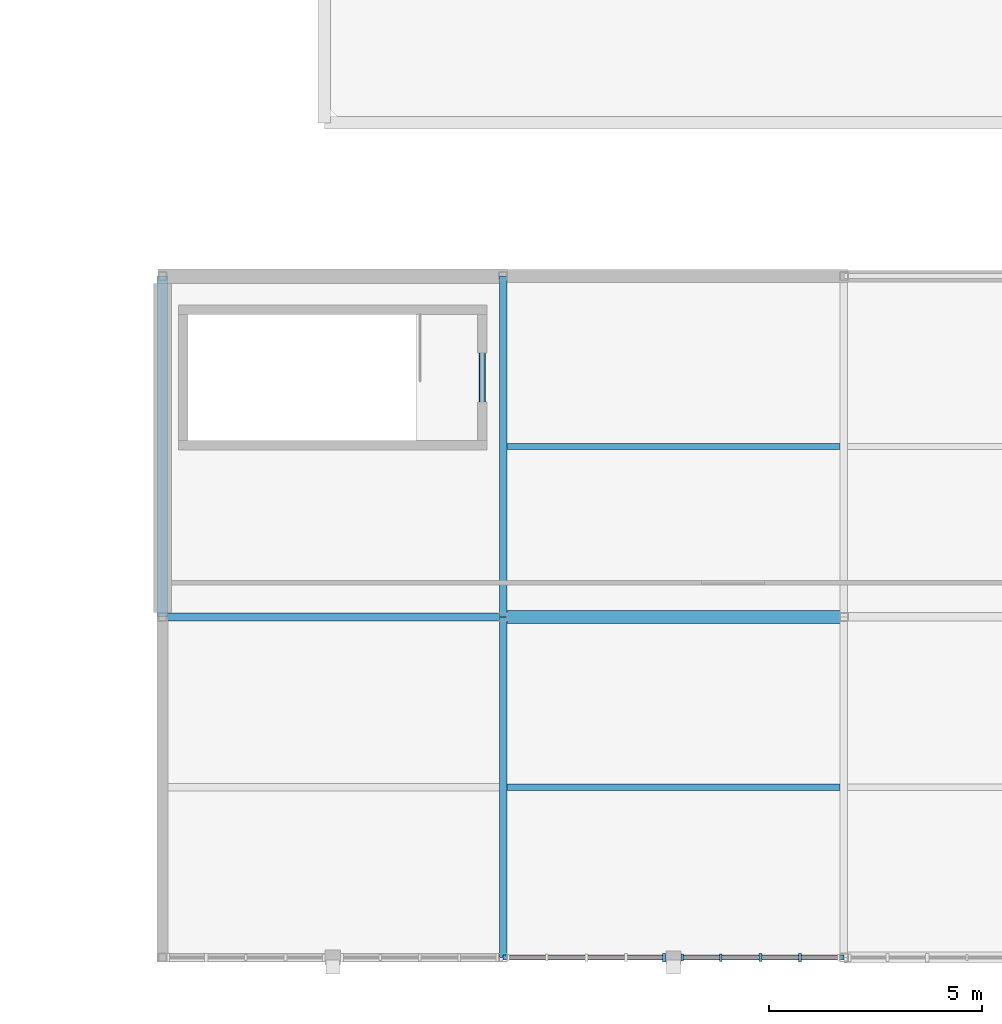
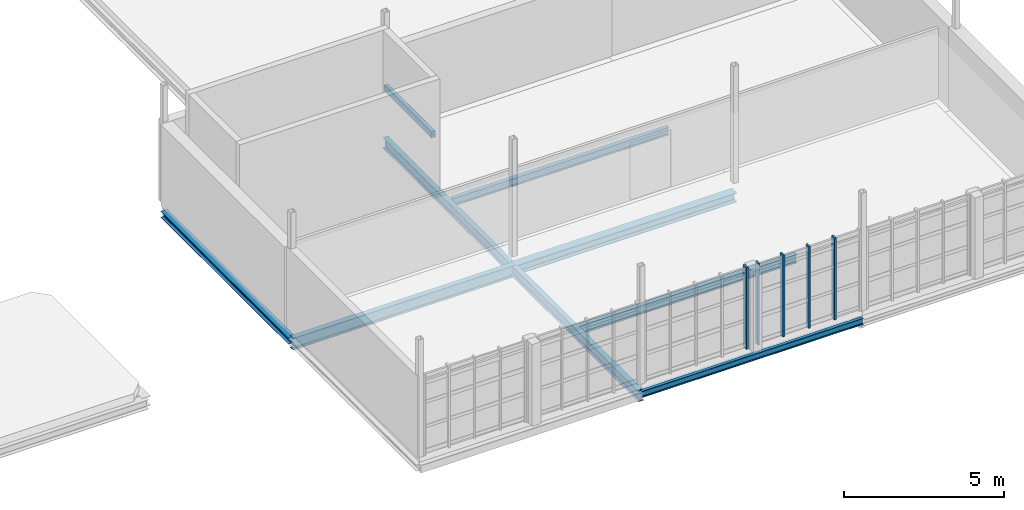
# One storey, part 36 of 125: 9 beams, 5 members, 2 elements without a shape of their own.
"""IFC4 building model written with IfcOpenShell, lengths in metres."""

import ifcopenshell
import ifcopenshell.guid

model = None  # the IFC model being written
_history = None  # IfcOwnerHistory: only IFC2X3 demands one
_inside = {}  # id of a spatial element -> (the spatial element, [elements in it])
_under = {}  # id of a project, library or spatial element -> (it, [spatial elements below it])
_declared = {}  # id of a project -> (the project, [libraries it declares])
_typed = {}  # id of a type object -> (the type object, [elements of that type])
_made_of = {}  # id of a material, layer set ... -> (it, [elements and type objects made of it])


def new_model(schema):
    """Start an empty IFC model of exactly this schema.

    Asked for "IFC4X3", IfcOpenShell would pick the latest addendum, in which some entities
    have other attributes; the version numbers below select the first issue.
    IFC2X3 requires an IfcOwnerHistory on every rooted entity: one is made here for all.
    """
    global model, _history
    if schema == "IFC4X3":
        model = ifcopenshell.file(schema_version=(4, 3, 0, 0))
    else:
        model = ifcopenshell.file(schema=schema)
    _inside.clear()
    _under.clear()
    _declared.clear()
    _typed.clear()
    _made_of.clear()
    _history = None
    if model.schema == "IFC2X3":
        org = make("IfcOrganization", Name="unknown")
        user = make(
            "IfcPersonAndOrganization",
            ThePerson=make("IfcPerson", FamilyName="unknown"),
            TheOrganization=org,
        )
        app = make(
            "IfcApplication",
            ApplicationDeveloper=org,
            Version="unknown",
            ApplicationFullName="unknown",
            ApplicationIdentifier="unknown",
        )
        _history = make(
            "IfcOwnerHistory",
            OwningUser=user,
            OwningApplication=app,
            ChangeAction="ADDED",
            CreationDate=0,
        )
    return model


def make(cls, **values):
    """One entity of the class cls with the attributes given. An attribute that is None is left unset."""
    return model.create_entity(
        cls, **{name: value for name, value in values.items() if value is not None}
    )


def rooted(cls, **values):
    """An entity with a GlobalId (a new one), such as an element, a storey or a relation."""
    return make(cls, GlobalId=ifcopenshell.guid.new(), OwnerHistory=_history, **values)


def si_unit(unit_type, name, prefix=None):
    """IfcSIUnit, for example si_unit("LENGTHUNIT", "METRE", prefix="MILLI")."""
    return make("IfcSIUnit", UnitType=unit_type, Prefix=prefix, Name=name)


def assignment(units):
    """IfcUnitAssignment: the units of a project."""
    return None if units is None else make("IfcUnitAssignment", Units=units)


def point(xyz):
    """IfcCartesianPoint."""
    return None if xyz is None else make("IfcCartesianPoint", Coordinates=xyz)


def direction(xyz):
    """IfcDirection."""
    return None if xyz is None else make("IfcDirection", DirectionRatios=xyz)


def frame(location, z_axis=None, x_axis=None):
    """IfcAxis2Placement3D, a coordinate frame: its origin and axes. An axis left out is left unset."""
    return make(
        "IfcAxis2Placement3D",
        Location=point(location),
        Axis=direction(z_axis),
        RefDirection=direction(x_axis),
    )


def frame_2d(location, x_axis=None):
    """IfcAxis2Placement2D, a coordinate frame in the plane: its origin and x axis."""
    return make(
        "IfcAxis2Placement2D", Location=point(location), RefDirection=direction(x_axis)
    )


def origin():
    """The frame at (0, 0, 0) with its axes left unset."""
    return frame((0.0, 0.0, 0.0))


def origin_2d():
    """The frame at (0, 0) in the plane with its x axis left unset."""
    return frame_2d((0.0, 0.0))


def place(relative_to, where):
    """IfcLocalPlacement: puts the frame where relative to a parent placement (None: the world)."""
    return make(
        "IfcLocalPlacement", PlacementRelTo=relative_to, RelativePlacement=where
    )


def context(
    kind, dimensions, precision=None, world=None, true_north=None, identifier=None
):
    """IfcGeometricRepresentationContext, for example the 3D "Model" context."""
    return make(
        "IfcGeometricRepresentationContext",
        ContextIdentifier=identifier,
        ContextType=kind,
        CoordinateSpaceDimension=dimensions,
        Precision=precision,
        WorldCoordinateSystem=world,
        TrueNorth=true_north,
    )


def subcontext(parent, identifier, kind, view, scale=None):
    """IfcGeometricRepresentationSubContext, for example "Body" below "Model"."""
    return make(
        "IfcGeometricRepresentationSubContext",
        ContextIdentifier=identifier,
        ContextType=kind,
        ParentContext=parent,
        TargetScale=scale,
        TargetView=view,
    )


def project(units=None, contexts=None):
    """IfcProject with its units and contexts."""
    return rooted(
        "IfcProject",
        Name="project",
        RepresentationContexts=contexts,
        UnitsInContext=assignment(units),
    )


def spatial(cls, under=None, at=None, **own):
    """A site, building, storey or space (cls), placed at a placement, below another one or the project."""
    s = rooted(cls, ObjectPlacement=at, **own)
    if under is not None:
        _under.setdefault(under.id(), (under, []))[1].append(s)
    return s


def profile(cls, at=None, kind="AREA", **sizes):
    """A parametric profile (cls). Its sizes go by their IFC names, for example OverallWidth=200.0."""
    return make(cls, ProfileType=kind, Position=at, **sizes)


def rectangle(**sizes):
    """IfcRectangleProfileDef."""
    return profile("IfcRectangleProfileDef", **sizes)


def hollow_rectangle(**sizes):
    """IfcRectangleHollowProfileDef."""
    return profile("IfcRectangleHollowProfileDef", **sizes)


def i_section(**sizes):
    """IfcIShapeProfileDef."""
    return profile("IfcIShapeProfileDef", **sizes)


def extrude(swept, where, along, depth):
    """IfcExtrudedAreaSolid: the profile swept, set in the frame where, extruded along a direction by depth."""
    return make(
        "IfcExtrudedAreaSolid",
        SweptArea=swept,
        Position=where,
        ExtrudedDirection=direction(along),
        Depth=depth,
    )


def shape(context_of_items, identifier, shape_type, items):
    """IfcShapeRepresentation: the items that make up one representation, for example the "Body"."""
    return make(
        "IfcShapeRepresentation",
        ContextOfItems=context_of_items,
        RepresentationIdentifier=identifier,
        RepresentationType=shape_type,
        Items=items,
    )


def material(Name=None, Category=None):
    """IfcMaterial."""
    return make("IfcMaterial", Name=Name, Category=Category)


def material_profile(
    of_material, cross_section, Name=None, Category=None, Priority=None
):
    """IfcMaterialProfile: a cross section and its material."""
    return make(
        "IfcMaterialProfile",
        Name=Name,
        Material=of_material,
        Profile=cross_section,
        Priority=Priority,
        Category=Category,
    )


def profile_set(profiles, Name=None, composite=None):
    """IfcMaterialProfileSet."""
    return make(
        "IfcMaterialProfileSet",
        Name=Name,
        MaterialProfiles=profiles,
        CompositeProfile=composite,
    )


def made_of(thing, what):
    """Note that an element or type object is made of a material, layer set ...; save() writes the relation."""
    if what is not None:
        _made_of.setdefault(what.id(), (what, []))[1].append(thing)
    return thing


def type_object(cls, material=None, **own):
    """A type object (cls), such as IfcWallType, which elements share."""
    return made_of(rooted(cls, **own), material)


def element(
    cls,
    number,
    at=None,
    inside=None,
    cuts=None,
    type_object=None,
    material=None,
    context=None,
    identifier="Body",
    shape_type=None,
    held_by="IfcProductDefinitionShape",
    body=None,
    shapes=None,
    **own,
):
    """One element of the class cls, such as IfcWall. Its Tag is "e" and its number.

    at: its placement. inside: the storey or other place that contains it. cuts: it is an
    opening in that element (IfcRelVoidsElement). A single representation is given by context,
    identifier, shape_type and body (its items); several are given by shapes. held_by: the class
    of the entity that holds the representations. save() writes the other relations.
    """
    e = rooted(cls, Tag="e%d" % number, ObjectPlacement=at, **own)
    if body is not None:
        shapes = [shape(context, identifier, shape_type, body)]
    if shapes is not None:
        e.Representation = make(held_by, Representations=shapes)
    if inside is not None:
        _inside.setdefault(inside.id(), (inside, []))[1].append(e)
    if cuts is not None:
        rooted(
            "IfcRelVoidsElement", RelatingBuildingElement=cuts, RelatedOpeningElement=e
        )
    if type_object is not None:
        _typed.setdefault(type_object.id(), (type_object, []))[1].append(e)
    return made_of(e, material)


def aggregate(whole, parts):
    """IfcRelAggregates: a whole, such as a stair, and the parts it consists of."""
    return rooted("IfcRelAggregates", RelatingObject=whole, RelatedObjects=parts)


def save(model, path):
    """Write the relations noted so far, then the file.

    IfcRelAggregates (storeys below a building ...), IfcRelContainedInSpatialStructure (elements
    in a storey), IfcRelDefinesByType, IfcRelAssociatesMaterial and IfcRelDeclares: one each for
    every whole, place, type object, material and project.
    """
    for whole, parts in _under.values():
        aggregate(whole, parts)
    for where, things in _inside.values():
        rooted(
            "IfcRelContainedInSpatialStructure",
            RelatedElements=things,
            RelatingStructure=where,
        )
    for kind, things in _typed.values():
        rooted("IfcRelDefinesByType", RelatedObjects=things, RelatingType=kind)
    for what, things in _made_of.values():
        rooted("IfcRelAssociatesMaterial", RelatedObjects=things, RelatingMaterial=what)
    for by, libraries in _declared.values():
        rooted("IfcRelDeclares", RelatingContext=by, RelatedDefinitions=libraries)
    model.write(path)


model = new_model("IFC4")

# Units and contexts
model_context = context("Model", 3, precision=1e-05, world=origin(), true_north=direction((0.0, 1.0)))
body_context = subcontext(model_context, "Body", "Model", "MODEL_VIEW")
ifc_project = project(units=[si_unit("LENGTHUNIT", "METRE"), si_unit("AREAUNIT", "SQUARE_METRE"), si_unit("VOLUMEUNIT", "CUBIC_METRE"), si_unit("PLANEANGLEUNIT", "RADIAN"), si_unit("MASSUNIT", "GRAM", prefix="KILO")], contexts=[model_context])

# Site, building, storey
site_placement = place(None, origin())
site = spatial("IfcSite", under=ifc_project, at=site_placement, CompositionType="ELEMENT")
building_placement = place(site_placement, origin())
building = spatial("IfcBuilding", under=site, at=building_placement, Name="Serraforn Aerial Cableway Station", CompositionType="ELEMENT")
storey_placement = place(building_placement, frame((0.0, 0.0, 4.5)))
storey = spatial("IfcBuildingStorey", under=building, at=storey_placement, Name="L01", CompositionType="ELEMENT", Elevation=4.5)

# Beams
ifc_material_1 = material(Name="Steel S355JR", Category="steel")
ifc_material_profile_1 = material_profile(ifc_material_1, i_section(OverallWidth=0.239990234375, OverallDepth=0.239990234375, WebThickness=0.007568359375, FlangeThickness=0.011962890625, FilletRadius=0.02099609375, at=origin_2d()), Name="HEA 240")
ifc_profile_set_1 = profile_set([ifc_material_profile_1], Name="Steel S355JR")
beam_type_1 = type_object("IfcBeamType", Name="BM-ST-HEA240", PredefinedType="BEAM", material=ifc_profile_set_1)
beam_1_placement = place(storey_placement, frame((144.0, 8.0, -0.43994140625), z_axis=(0.0, 1.0, 0.0), x_axis=(-1.0, 0.0, 0.0)))
element("IfcBeam", 1, at=beam_1_placement, inside=storey, type_object=beam_type_1, Name="Grid Girder Y ES L01 X1-2", PredefinedType="BEAM", context=body_context, shape_type="SweptSolid", body=[
    extrude(i_section(OverallWidth=0.239990234375, OverallDepth=0.239990234375, WebThickness=0.007568359375, FlangeThickness=0.011962890625, FilletRadius=0.02099609375, at=origin_2d()), origin(), (0.0, 0.0, 1.0), 8.0),
])
ifc_material_2 = material(Name="Steel S355J2", Category="steel")
ifc_material_profile_2 = material_profile(ifc_material_2, i_section(OverallWidth=0.300048828125, OverallDepth=0.360107421875, WebThickness=0.012451171875, FlangeThickness=0.0224609375, FilletRadius=0.027099609375, at=origin_2d()), Name="HEB 360")
ifc_profile_set_2 = profile_set([ifc_material_profile_2], Name="Steel S355J2")
beam_type_2 = type_object("IfcBeamType", Name="BM-ST-HEB360", PredefinedType="USERDEFINED", material=ifc_profile_set_2)
beam_2_placement = place(storey_placement, frame((152.0, 8.0, -0.5), z_axis=(1.0, 0.0, 0.0), x_axis=(0.0, 1.0, 0.0)))
element("IfcBeam", 2, at=beam_2_placement, inside=storey, type_object=beam_type_2, Name="Grid Girder X ES L01 Y2-2", ObjectType="GIRDER", PredefinedType="USERDEFINED", context=body_context, shape_type="SweptSolid", body=[
    extrude(i_section(OverallWidth=0.300048828125, OverallDepth=0.360107421875, WebThickness=0.012451171875, FlangeThickness=0.0224609375, FilletRadius=0.027099609375, at=origin_2d()), origin(), (0.0, 0.0, 1.0), 8.0),
])
ifc_material_profile_3 = material_profile(ifc_material_1, i_section(OverallWidth=0.1201171875, OverallDepth=0.239990234375, WebThickness=0.006103515625, FlangeThickness=0.009765625, FilletRadius=0.014892578125, at=origin_2d()), Name="IPE 240")
ifc_profile_set_3 = profile_set([ifc_material_profile_3], Name="Steel S355JR")
beam_type_3 = type_object("IfcBeamType", Name="BM-ST-IPE240", PredefinedType="SPANDREL", material=ifc_profile_set_3)
beam_3_placement = place(storey_placement, frame((152.0, 0.0, -0.43994140625), z_axis=(1.0, 0.0, 0.0), x_axis=(0.0, 1.0, 0.0)))
element("IfcBeam", 3, at=beam_3_placement, inside=storey, type_object=beam_type_3, Name="Grid Girder X ES L01 Y1-2", PredefinedType="SPANDREL", context=body_context, shape_type="SweptSolid", body=[
    extrude(i_section(OverallWidth=0.1201171875, OverallDepth=0.239990234375, WebThickness=0.006103515625, FlangeThickness=0.009765625, FilletRadius=0.014892578125, at=origin_2d()), origin(), (0.0, 0.0, 1.0), 8.0),
])
ifc_material_profile_4 = material_profile(ifc_material_1, i_section(OverallWidth=0.14990234375, OverallDepth=0.300048828125, WebThickness=0.007080078125, FlangeThickness=0.0107421875, FilletRadius=0.014892578125, at=origin_2d()), Name="IPE 300")
ifc_profile_set_4 = profile_set([ifc_material_profile_4], Name="Steel S355JR")
beam_type_4 = type_object("IfcBeamType", Name="BM-ST-IPE300", PredefinedType="JOIST", material=ifc_profile_set_4)
beam_4_placement = place(storey_placement, frame((152.090087890625, 12.0, -0.405029296875), z_axis=(1.0, 0.0, 0.0), x_axis=(0.0, 1.0, 0.0)))
element("IfcBeam", 4, at=beam_4_placement, inside=storey, type_object=beam_type_4, Name="Floor Joist ES-L01-2-2-1", PredefinedType="JOIST", context=body_context, shape_type="SweptSolid", body=[
    extrude(i_section(OverallWidth=0.14990234375, OverallDepth=0.300048828125, WebThickness=0.007080078125, FlangeThickness=0.0107421875, FilletRadius=0.014892578125, at=origin_2d()), origin(), (0.0, 0.0, 1.0), 7.81982421875),
])
ifc_material_profile_5 = material_profile(ifc_material_1, i_section(OverallWidth=0.159912109375, OverallDepth=0.330078125, WebThickness=0.007568359375, FlangeThickness=0.011474609375, FilletRadius=0.01806640625, at=origin_2d()), Name="IPE 330")
ifc_profile_set_5 = profile_set([ifc_material_profile_5], Name="Steel S355JR")
beam_type_5 = type_object("IfcBeamType", Name="BM-ST-IPE330", PredefinedType="JOIST", material=ifc_profile_set_5)
beam_5_placement = place(storey_placement, frame((152.090087890625, 4.0, -0.419921875), z_axis=(1.0, 0.0, 0.0), x_axis=(0.0, 1.0, 0.0)))
element("IfcBeam", 5, at=beam_5_placement, inside=storey, type_object=beam_type_5, Name="Floor Joist ES-L01-2-1-1", PredefinedType="JOIST", context=body_context, shape_type="SweptSolid", body=[
    extrude(i_section(OverallWidth=0.159912109375, OverallDepth=0.330078125, WebThickness=0.007568359375, FlangeThickness=0.011474609375, FilletRadius=0.01806640625, at=origin_2d()), origin(), (0.0, 0.0, 1.0), 7.81982421875),
])
ifc_material_profile_6 = material_profile(ifc_material_1, i_section(OverallWidth=0.179931640625, OverallDepth=0.39990234375, WebThickness=0.008544921875, FlangeThickness=0.013427734375, FilletRadius=0.02099609375, at=origin_2d()), Name="IPE 400")
ifc_profile_set_6 = profile_set([ifc_material_profile_6], Name="Steel S355JR")
beam_type_6 = type_object("IfcBeamType", Name="BM-ST-IPE400", PredefinedType="BEAM", material=ifc_profile_set_6)
for number, where, z_axis, x_axis, name in (
    (6, (152.0, 0.0, -0.52001953125), (0.0, 1.0, 0.0), (-1.0, 0.0, 0.0), "Grid Girder Y ES L01 X2-1"),
    (7, (152.0, 8.0, -0.52001953125), (0.0, 1.0, 0.0), (-1.0, 0.0, 0.0), "Grid Girder Y ES L01 X2-2"),
):
    element("IfcBeam", number, at=place(storey_placement, frame(where, z_axis=z_axis, x_axis=x_axis)), inside=storey, type_object=beam_type_6, Name=name, PredefinedType="BEAM", context=body_context, shape_type="SweptSolid", body=[
        extrude(i_section(OverallWidth=0.179931640625, OverallDepth=0.39990234375, WebThickness=0.008544921875, FlangeThickness=0.013427734375, FilletRadius=0.02099609375, at=origin_2d()), origin(), (0.0, 0.0, 1.0), 8.0),
    ])
ifc_material_profile_7 = material_profile(ifc_material_1, i_section(OverallWidth=0.18994140625, OverallDepth=0.449951171875, WebThickness=0.009521484375, FlangeThickness=0.0146484375, FilletRadius=0.02099609375, at=origin_2d()), Name="IPE 450")
ifc_profile_set_7 = profile_set([ifc_material_profile_7], Name="Steel S355JR")
beam_type_7 = type_object("IfcBeamType", Name="BM-ST-IPE450", PredefinedType="BEAM", material=ifc_profile_set_7)
beam_6_placement = place(storey_placement, frame((144.0, 8.0, -0.544921875), z_axis=(1.0, 0.0, 0.0), x_axis=(0.0, 1.0, 0.0)))
element("IfcBeam", 8, at=beam_6_placement, inside=storey, type_object=beam_type_7, Name="Grid Girder X ES L01 Y2-1", PredefinedType="BEAM", context=body_context, shape_type="SweptSolid", body=[
    extrude(i_section(OverallWidth=0.18994140625, OverallDepth=0.449951171875, WebThickness=0.009521484375, FlangeThickness=0.0146484375, FilletRadius=0.02099609375, at=origin_2d()), origin(), (0.0, 0.0, 1.0), 8.0),
])
ifc_material_profile_8 = material_profile(ifc_material_2, hollow_rectangle(XDim=0.14990234375, YDim=0.25, WallThickness=0.010009765625, InnerFilletRadius=0.010009765625, OuterFilletRadius=0.02001953125, at=origin_2d()), Name="RHS 250x150x10.0")
ifc_profile_set_8 = profile_set([ifc_material_profile_8], Name="Steel S355J2")
beam_type_8 = type_object("IfcBeamType", Name="BM-ST-RHS250", PredefinedType="LINTEL", material=ifc_profile_set_8)
beam_7_placement = place(storey_placement, frame((151.510009765625, 15.10009765625, 2.27490234375), z_axis=(0.0, -1.0, 0.0), x_axis=(1.0, 0.0, 0.0)))
element("IfcBeam", 9, at=beam_7_placement, inside=storey, type_object=beam_type_8, Name="Stair Core Door Lintel D-S32", PredefinedType="LINTEL", context=body_context, shape_type="SweptSolid", body=[
    extrude(hollow_rectangle(XDim=0.14990234375, YDim=0.25, WallThickness=0.010009765625, InnerFilletRadius=0.010009765625, OuterFilletRadius=0.02001953125, at=origin_2d()), origin(), (0.0, 0.0, 1.0), 2.960205078125),
])

# Curtain wall, members
ifc_material_3 = material(Name="Anodised bronze unitised curtain wall")
curtain_wall_type_1 = type_object("IfcCurtainWallType", Name="CW-SYS-6", PredefinedType="USERDEFINED", material=ifc_material_3)
curtain_wall_1_placement = place(storey_placement, origin())
curtain_wall_1 = element("IfcCurtainWall", 10, at=curtain_wall_1_placement, inside=storey, type_object=curtain_wall_type_1, Name="Unitised Curtain Wall CW-ES-L01-S2B", ObjectType="UNITISED CURTAIN WALL", PredefinedType="USERDEFINED")
ifc_material_4 = material(Name="Anodised bronze extruded aluminium", Category="aluminium")
ifc_material_profile_9 = material_profile(ifc_material_4, rectangle(XDim=0.06005859375, YDim=0.159912109375, at=origin_2d()), Name="CW MULLION 60x160")
ifc_profile_set_9 = profile_set([ifc_material_profile_9], Name="Anodised bronze extruded aluminium")
member_type_1 = type_object("IfcMemberType", Name="CW-MUL-2", PredefinedType="MULLION", material=ifc_profile_set_9)
member_1_placement = place(storey_placement, frame((156.2099609375, 0.0, 0.0), z_axis=(0.0, 0.0, 1.0), x_axis=(1.0, 0.0, 0.0)))
member_1 = element("IfcMember", 11, at=member_1_placement, type_object=member_type_1, Name="Curtain Wall Mullion CW-ES-L01-S2B-M1", PredefinedType="MULLION", context=body_context, shape_type="SweptSolid", body=[
    extrude(rectangle(XDim=0.06005859375, YDim=0.159912109375, at=origin_2d()), origin(), (0.0, 0.0, 1.0), 3.1201171875),
])
ifc_material_profile_10 = material_profile(ifc_material_4, rectangle(XDim=0.06494140625, YDim=0.175048828125, at=origin_2d()), Name="CW MULLION 65x175")
ifc_profile_set_10 = profile_set([ifc_material_profile_10], Name="Anodised bronze extruded aluminium")
member_type_2 = type_object("IfcMemberType", Name="CW-MUL-3", PredefinedType="MULLION", material=ifc_profile_set_10)
member_2_placement = place(storey_placement, frame((157.110595703125, 0.0, 0.0), z_axis=(0.0, 0.0, 1.0), x_axis=(1.0, 0.0, 0.0)))
member_2 = element("IfcMember", 12, at=member_2_placement, type_object=member_type_2, Name="Curtain Wall Mullion CW-ES-L01-S2B-M2", PredefinedType="MULLION", context=body_context, shape_type="SweptSolid", body=[
    extrude(rectangle(XDim=0.06494140625, YDim=0.175048828125, at=origin_2d()), origin(), (0.0, 0.0, 1.0), 3.1201171875),
])
ifc_material_profile_11 = material_profile(ifc_material_4, rectangle(XDim=0.070068359375, YDim=0.18994140625, at=origin_2d()), Name="CW MULLION 70x190")
ifc_profile_set_11 = profile_set([ifc_material_profile_11], Name="Anodised bronze extruded aluminium")
member_type_3 = type_object("IfcMemberType", Name="CW-MUL-4", PredefinedType="MULLION", material=ifc_profile_set_11)
member_3_placement = place(storey_placement, frame((158.041015625, 0.0, 0.0), z_axis=(0.0, 0.0, 1.0), x_axis=(1.0, 0.0, 0.0)))
member_3 = element("IfcMember", 13, at=member_3_placement, type_object=member_type_3, Name="Curtain Wall Mullion CW-ES-L01-S2B-M3", PredefinedType="MULLION", context=body_context, shape_type="SweptSolid", body=[
    extrude(rectangle(XDim=0.070068359375, YDim=0.18994140625, at=origin_2d()), origin(), (0.0, 0.0, 1.0), 3.1201171875),
])

# Curtain wall, member
curtain_wall_type_2 = type_object("IfcCurtainWallType", Name="CW-SYS-5", PredefinedType="USERDEFINED", material=ifc_material_3)
curtain_wall_2_placement = place(storey_placement, origin())
curtain_wall_2 = element("IfcCurtainWall", 14, at=curtain_wall_2_placement, inside=storey, type_object=curtain_wall_type_2, Name="Unitised Curtain Wall CW-ES-L01-S2A", ObjectType="UNITISED CURTAIN WALL", PredefinedType="USERDEFINED")
ifc_material_profile_12 = material_profile(ifc_material_4, rectangle(XDim=0.074951171875, YDim=0.199951171875, at=origin_2d()), Name="CW MULLION 75x200")
ifc_profile_set_12 = profile_set([ifc_material_profile_12], Name="Anodised bronze extruded aluminium")
member_type_4 = type_object("IfcMemberType", Name="CW-MUL-5", PredefinedType="MULLION", material=ifc_profile_set_12)
member_4_placement = place(storey_placement, frame((155.782470703125, 0.0, 0.0), z_axis=(0.0, 0.0, 1.0), x_axis=(1.0, 0.0, 0.0)))
member_4 = element("IfcMember", 15, at=member_4_placement, type_object=member_type_4, Name="Curtain Wall Mullion CW-ES-L01-S2A-M5", PredefinedType="MULLION", context=body_context, shape_type="SweptSolid", body=[
    extrude(rectangle(XDim=0.074951171875, YDim=0.199951171875, at=origin_2d()), origin(), (0.0, 0.0, 1.0), 3.1201171875),
])
aggregate(curtain_wall_2, [member_4])

# Member
member_5_placement = place(storey_placement, frame((158.971435546875, 0.0, 0.0), z_axis=(0.0, 0.0, 1.0), x_axis=(1.0, 0.0, 0.0)))
member_5 = element("IfcMember", 16, at=member_5_placement, type_object=member_type_4, Name="Curtain Wall Mullion CW-ES-L01-S2B-M4", PredefinedType="MULLION", context=body_context, shape_type="SweptSolid", body=[
    extrude(rectangle(XDim=0.074951171875, YDim=0.199951171875, at=origin_2d()), origin(), (0.0, 0.0, 1.0), 3.1201171875),
])

aggregate(curtain_wall_1, [member_1, member_2, member_3, member_5])

save(model, "model.ifc")
